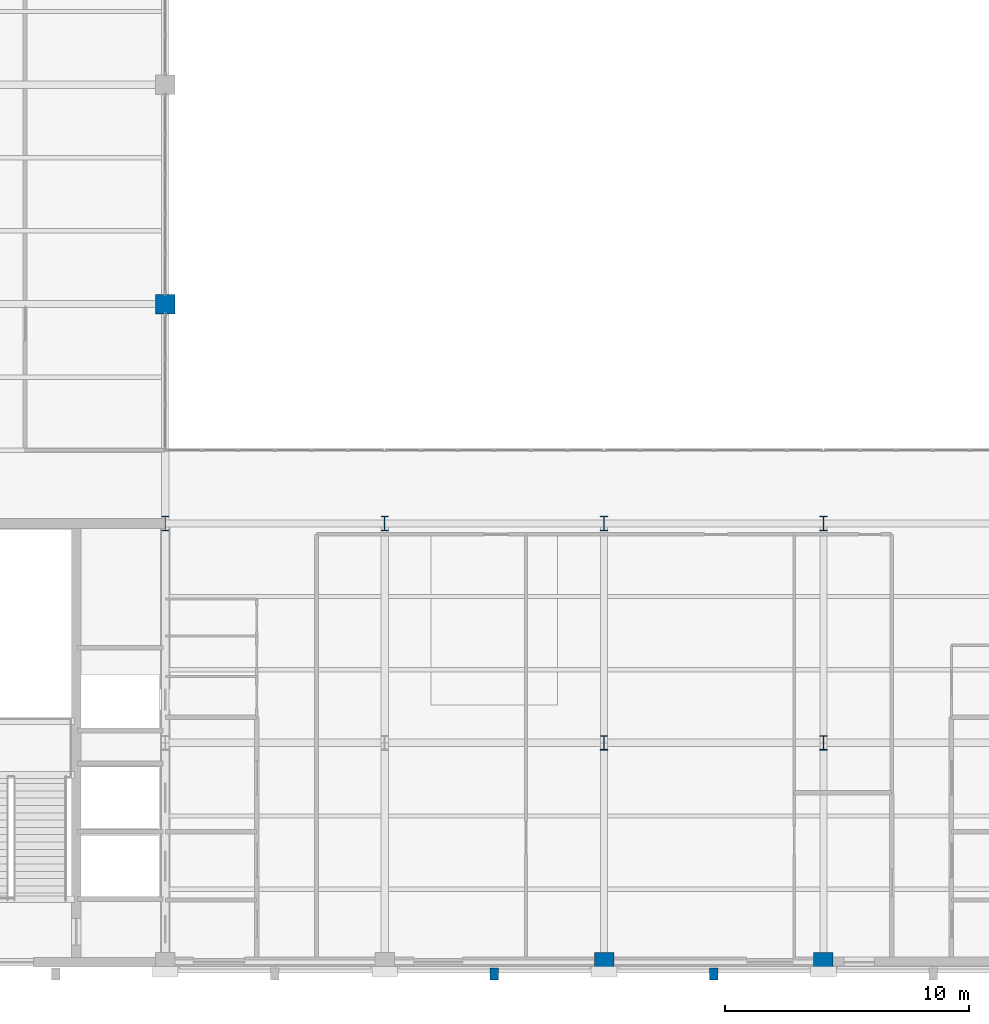
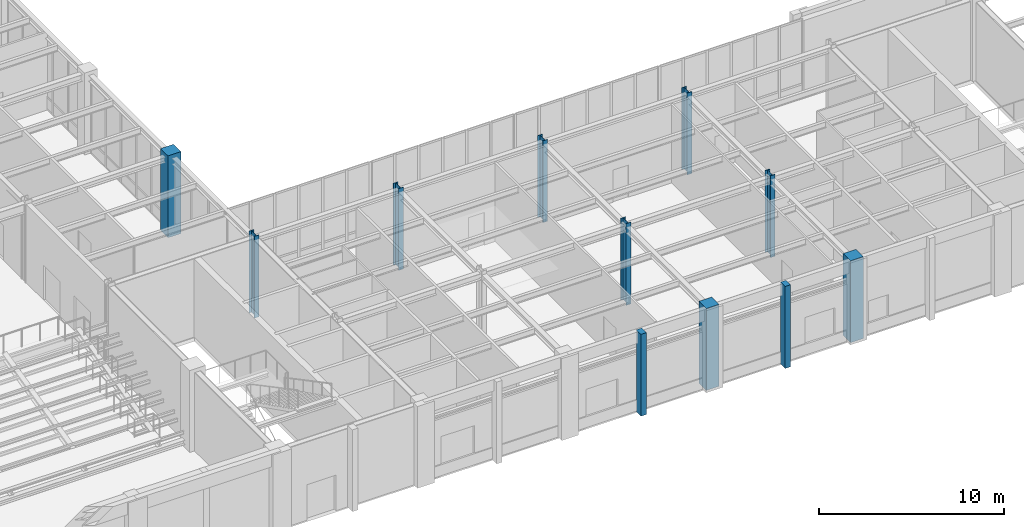
# One storey, part 2 of 77: 11 columns.
"""IFC4 building model written with IfcOpenShell, lengths in metres."""

from ifc_helpers import new_model, si_unit, direction, frame, origin, origin_2d, place, context, subcontext, project, spatial, rectangle, i_section, extrude, material, material_profile, profile_set, type_object, element, save


model = new_model("IFC4")

# Units and contexts
model_context = context("Model", 3, precision=1e-05, world=origin(), true_north=direction((0.0, 1.0)))
body_context = subcontext(model_context, "Body", "Model", "MODEL_VIEW")
ifc_project = project(units=[si_unit("LENGTHUNIT", "METRE"), si_unit("AREAUNIT", "SQUARE_METRE"), si_unit("VOLUMEUNIT", "CUBIC_METRE"), si_unit("PLANEANGLEUNIT", "RADIAN"), si_unit("MASSUNIT", "GRAM", prefix="KILO")], contexts=[model_context])

# Site, building, storey
site_placement = place(None, origin())
site = spatial("IfcSite", under=ifc_project, at=site_placement, CompositionType="ELEMENT")
building_placement = place(site_placement, origin())
building = spatial("IfcBuilding", under=site, at=building_placement, Name="Lykobir Media Centre", CompositionType="ELEMENT")
storey_placement = place(building_placement, origin())
storey = spatial("IfcBuildingStorey", under=building, at=storey_placement, Name="L00", CompositionType="ELEMENT", Elevation=0.0)

# Columns
ifc_material_1 = material(Name="Honed Travertine Stone", Category="masonry")
ifc_material_profile_1 = material_profile(ifc_material_1, rectangle(XDim=0.35009765625, YDim=0.5, at=origin_2d()), Name="RC PILASTER 500x350")
ifc_profile_set_1 = profile_set([ifc_material_profile_1], Name="Honed Travertine Stone")
column_type_1 = type_object("IfcColumnType", Name="PIL-500", PredefinedType="PILASTER", material=ifc_profile_set_1)
for number, where, z_axis, x_axis, name in (
    (1, (49.5, -0.47998046875, 0.0), (0.0, 0.0, 1.0), (1.0, 0.0, 0.0), "South Revak L00 colonnade pier 49.5"),
    (2, (58.5, -0.47998046875, 0.0), (0.0, 0.0, 1.0), (1.0, 0.0, 0.0), "South Revak L00 colonnade pier 58.5"),
):
    element("IfcColumn", number, at=place(storey_placement, frame(where, z_axis=z_axis, x_axis=x_axis)), inside=storey, type_object=column_type_1, Name=name, PredefinedType="PILASTER", context=body_context, shape_type="SweptSolid", body=[
        extrude(rectangle(XDim=0.35009765625, YDim=0.5, at=origin_2d()), origin(), (0.0, 0.0, 1.0), 5.39990234375),
    ])
ifc_material_2 = material(Name="Concrete C40/50", Category="concrete")
ifc_material_profile_2 = material_profile(ifc_material_2, rectangle(XDim=0.800048828125, YDim=0.800048828125, at=origin_2d()), Name="RC 800x800")
ifc_profile_set_2 = profile_set([ifc_material_profile_2], Name="Concrete C40/50")
column_type_2 = type_object("IfcColumnType", Name="RC-C800", PredefinedType="COLUMN", material=ifc_profile_set_2)
column_placement = place(storey_placement, frame((36.0, 27.0, 0.0), z_axis=(0.0, 0.0, 1.0), x_axis=(1.0, 0.0, 0.0)))
element("IfcColumn", 3, at=column_placement, inside=storey, type_object=column_type_2, Name="Column COL-L00-0360-0270", PredefinedType="COLUMN", context=body_context, shape_type="SweptSolid", body=[
    extrude(rectangle(XDim=0.800048828125, YDim=0.800048828125, at=origin_2d()), origin(), (0.0, 0.0, 1.0), 5.39990234375),
])
ifc_material_profile_3 = material_profile(ifc_material_2, rectangle(XDim=0.800048828125, YDim=0.800048828125, at=origin_2d()), Name="RC 800x800")
ifc_profile_set_3 = profile_set([ifc_material_profile_3], Name="Concrete C40/50")
column_type_3 = type_object("IfcColumnType", Name="RC-C800-E", PredefinedType="COLUMN", material=ifc_profile_set_3)
for number, where, z_axis, x_axis, name in (
    (4, (54.0, 0.0, 0.0), (0.0, 0.0, 1.0), (1.0, 0.0, 0.0), "Column COL-L00-0540-0000"),
    (5, (63.0, 0.0, 0.0), (0.0, 0.0, 1.0), (1.0, 0.0, 0.0), "Column COL-L00-0630-0000"),
):
    element("IfcColumn", number, at=place(storey_placement, frame(where, z_axis=z_axis, x_axis=x_axis)), inside=storey, type_object=column_type_3, Name=name, PredefinedType="COLUMN", context=body_context, shape_type="SweptSolid", body=[
        extrude(rectangle(XDim=0.800048828125, YDim=0.800048828125, at=origin_2d()), origin(), (0.0, 0.0, 1.0), 5.39990234375),
    ])
ifc_material_3 = material(Name="Steel S355", Category="steel")
ifc_material_profile_4 = material_profile(ifc_material_3, i_section(OverallWidth=0.300048828125, OverallDepth=0.60009765625, WebThickness=0.015380859375, FlangeThickness=0.030029296875, at=origin_2d()), Name="HEB 600")
ifc_profile_set_4 = profile_set([ifc_material_profile_4], Name="Steel S355")
column_type_4 = type_object("IfcColumnType", Name="SC-HEB600", PredefinedType="COLUMN", material=ifc_profile_set_4)
for number, where, z_axis, x_axis, name in (
    (6, (36.0, 18.0, 0.0), (0.0, 0.0, 1.0), (1.0, 0.0, 0.0), "Column COL-L00-0360-0180"),
    (7, (45.0, 18.0, 0.0), (0.0, 0.0, 1.0), (1.0, 0.0, 0.0), "Column COL-L00-0450-0180"),
    (8, (54.0, 9.0, 0.0), (0.0, 0.0, 1.0), (1.0, 0.0, 0.0), "Column COL-L00-0540-0090"),
    (9, (54.0, 18.0, 0.0), (0.0, 0.0, 1.0), (1.0, 0.0, 0.0), "Column COL-L00-0540-0180"),
    (10, (63.0, 9.0, 0.0), (0.0, 0.0, 1.0), (1.0, 0.0, 0.0), "Column COL-L00-0630-0090"),
    (11, (63.0, 18.0, 0.0), (0.0, 0.0, 1.0), (1.0, 0.0, 0.0), "Column COL-L00-0630-0180"),
):
    element("IfcColumn", number, at=place(storey_placement, frame(where, z_axis=z_axis, x_axis=x_axis)), inside=storey, type_object=column_type_4, Name=name, PredefinedType="COLUMN", context=body_context, shape_type="SweptSolid", body=[
        extrude(i_section(OverallWidth=0.300048828125, OverallDepth=0.60009765625, WebThickness=0.015380859375, FlangeThickness=0.030029296875, at=origin_2d()), origin(), (0.0, 0.0, 1.0), 5.39990234375),
    ])

save(model, "model.ifc")
